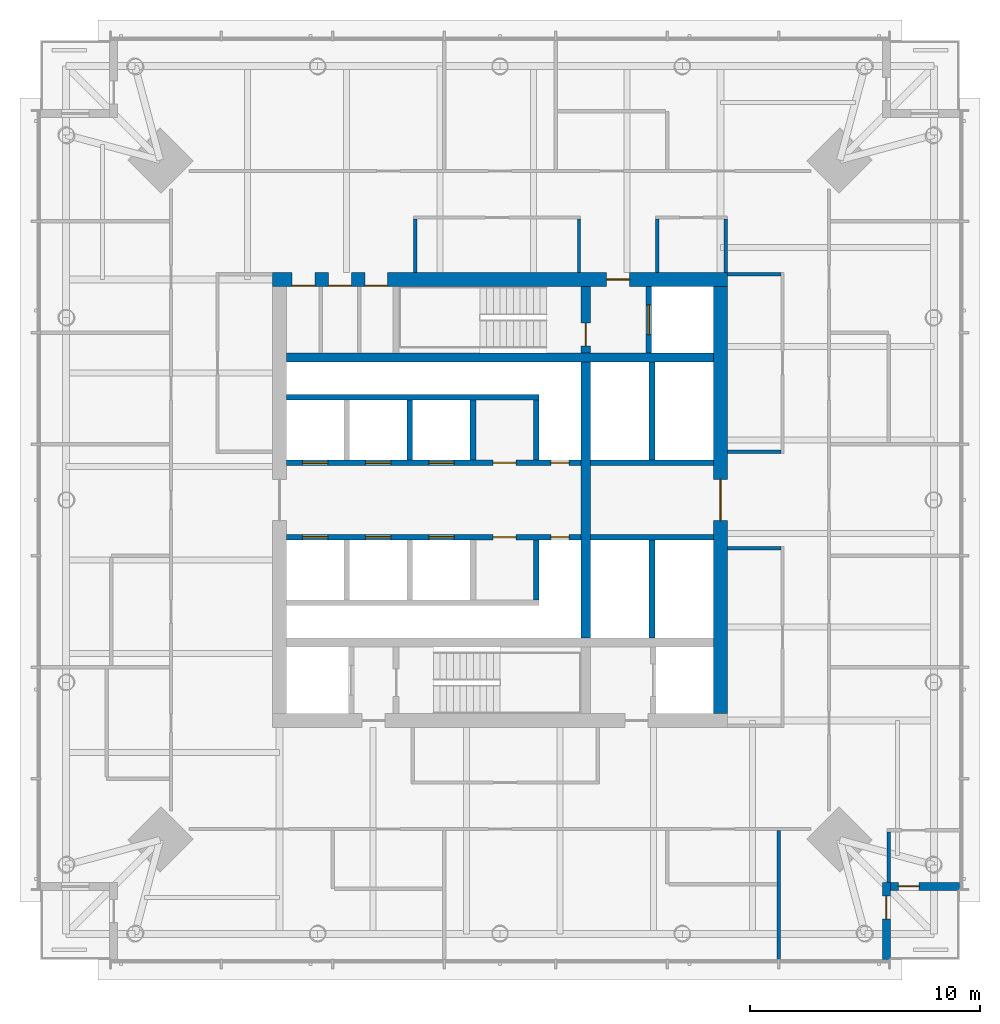
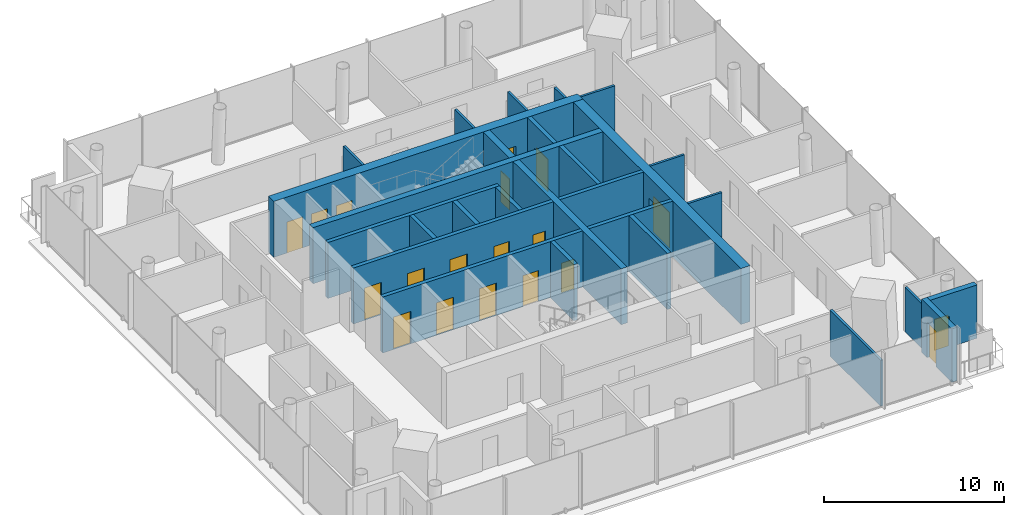
# One storey, part 5 of 10: 28 walls, 19 doors, 19 openings.
"""IFC4 building model written with IfcOpenShell, lengths in metres."""

import ifcopenshell
import ifcopenshell.guid

model = None  # the IFC model being written
_history = None  # IfcOwnerHistory: only IFC2X3 demands one
_inside = {}  # id of a spatial element -> (the spatial element, [elements in it])
_under = {}  # id of a project, library or spatial element -> (it, [spatial elements below it])
_declared = {}  # id of a project -> (the project, [libraries it declares])
_typed = {}  # id of a type object -> (the type object, [elements of that type])
_made_of = {}  # id of a material, layer set ... -> (it, [elements and type objects made of it])


def new_model(schema):
    """Start an empty IFC model of exactly this schema.

    Asked for "IFC4X3", IfcOpenShell would pick the latest addendum, in which some entities
    have other attributes; the version numbers below select the first issue.
    IFC2X3 requires an IfcOwnerHistory on every rooted entity: one is made here for all.
    """
    global model, _history
    if schema == "IFC4X3":
        model = ifcopenshell.file(schema_version=(4, 3, 0, 0))
    else:
        model = ifcopenshell.file(schema=schema)
    _inside.clear()
    _under.clear()
    _declared.clear()
    _typed.clear()
    _made_of.clear()
    _history = None
    if model.schema == "IFC2X3":
        org = make("IfcOrganization", Name="unknown")
        user = make(
            "IfcPersonAndOrganization",
            ThePerson=make("IfcPerson", FamilyName="unknown"),
            TheOrganization=org,
        )
        app = make(
            "IfcApplication",
            ApplicationDeveloper=org,
            Version="unknown",
            ApplicationFullName="unknown",
            ApplicationIdentifier="unknown",
        )
        _history = make(
            "IfcOwnerHistory",
            OwningUser=user,
            OwningApplication=app,
            ChangeAction="ADDED",
            CreationDate=0,
        )
    return model


def make(cls, **values):
    """One entity of the class cls with the attributes given. An attribute that is None is left unset."""
    return model.create_entity(
        cls, **{name: value for name, value in values.items() if value is not None}
    )


def rooted(cls, **values):
    """An entity with a GlobalId (a new one), such as an element, a storey or a relation."""
    return make(cls, GlobalId=ifcopenshell.guid.new(), OwnerHistory=_history, **values)


def si_unit(unit_type, name, prefix=None):
    """IfcSIUnit, for example si_unit("LENGTHUNIT", "METRE", prefix="MILLI")."""
    return make("IfcSIUnit", UnitType=unit_type, Prefix=prefix, Name=name)


def assignment(units):
    """IfcUnitAssignment: the units of a project."""
    return None if units is None else make("IfcUnitAssignment", Units=units)


def point(xyz):
    """IfcCartesianPoint."""
    return None if xyz is None else make("IfcCartesianPoint", Coordinates=xyz)


def direction(xyz):
    """IfcDirection."""
    return None if xyz is None else make("IfcDirection", DirectionRatios=xyz)


def frame(location, z_axis=None, x_axis=None):
    """IfcAxis2Placement3D, a coordinate frame: its origin and axes. An axis left out is left unset."""
    return make(
        "IfcAxis2Placement3D",
        Location=point(location),
        Axis=direction(z_axis),
        RefDirection=direction(x_axis),
    )


def frame_2d(location, x_axis=None):
    """IfcAxis2Placement2D, a coordinate frame in the plane: its origin and x axis."""
    return make(
        "IfcAxis2Placement2D", Location=point(location), RefDirection=direction(x_axis)
    )


def origin():
    """The frame at (0, 0, 0) with its axes left unset."""
    return frame((0.0, 0.0, 0.0))


def place(relative_to, where):
    """IfcLocalPlacement: puts the frame where relative to a parent placement (None: the world)."""
    return make(
        "IfcLocalPlacement", PlacementRelTo=relative_to, RelativePlacement=where
    )


def context(
    kind, dimensions, precision=None, world=None, true_north=None, identifier=None
):
    """IfcGeometricRepresentationContext, for example the 3D "Model" context."""
    return make(
        "IfcGeometricRepresentationContext",
        ContextIdentifier=identifier,
        ContextType=kind,
        CoordinateSpaceDimension=dimensions,
        Precision=precision,
        WorldCoordinateSystem=world,
        TrueNorth=true_north,
    )


def subcontext(parent, identifier, kind, view, scale=None):
    """IfcGeometricRepresentationSubContext, for example "Body" below "Model"."""
    return make(
        "IfcGeometricRepresentationSubContext",
        ContextIdentifier=identifier,
        ContextType=kind,
        ParentContext=parent,
        TargetScale=scale,
        TargetView=view,
    )


def project(units=None, contexts=None):
    """IfcProject with its units and contexts."""
    return rooted(
        "IfcProject",
        Name="project",
        RepresentationContexts=contexts,
        UnitsInContext=assignment(units),
    )


def spatial(cls, under=None, at=None, **own):
    """A site, building, storey or space (cls), placed at a placement, below another one or the project."""
    s = rooted(cls, ObjectPlacement=at, **own)
    if under is not None:
        _under.setdefault(under.id(), (under, []))[1].append(s)
    return s


def profile(cls, at=None, kind="AREA", **sizes):
    """A parametric profile (cls). Its sizes go by their IFC names, for example OverallWidth=200.0."""
    return make(cls, ProfileType=kind, Position=at, **sizes)


def rectangle(**sizes):
    """IfcRectangleProfileDef."""
    return profile("IfcRectangleProfileDef", **sizes)


def extrude(swept, where, along, depth):
    """IfcExtrudedAreaSolid: the profile swept, set in the frame where, extruded along a direction by depth."""
    return make(
        "IfcExtrudedAreaSolid",
        SweptArea=swept,
        Position=where,
        ExtrudedDirection=direction(along),
        Depth=depth,
    )


def shape(context_of_items, identifier, shape_type, items):
    """IfcShapeRepresentation: the items that make up one representation, for example the "Body"."""
    return make(
        "IfcShapeRepresentation",
        ContextOfItems=context_of_items,
        RepresentationIdentifier=identifier,
        RepresentationType=shape_type,
        Items=items,
    )


def material(Name=None, Category=None):
    """IfcMaterial."""
    return make("IfcMaterial", Name=Name, Category=Category)


def layer(
    of_material, thickness, ventilated=None, Name=None, Category=None, Priority=None
):
    """IfcMaterialLayer: one layer of a wall or slab, of a material (None: an air gap)."""
    return make(
        "IfcMaterialLayer",
        Material=of_material,
        LayerThickness=thickness,
        IsVentilated=ventilated,
        Name=Name,
        Category=Category,
        Priority=Priority,
    )


def layer_set(layers, Name=None):
    """IfcMaterialLayerSet."""
    return make("IfcMaterialLayerSet", MaterialLayers=layers, LayerSetName=Name)


def made_of(thing, what):
    """Note that an element or type object is made of a material, layer set ...; save() writes the relation."""
    if what is not None:
        _made_of.setdefault(what.id(), (what, []))[1].append(thing)
    return thing


def type_object(cls, material=None, **own):
    """A type object (cls), such as IfcWallType, which elements share."""
    return made_of(rooted(cls, **own), material)


def element(
    cls,
    number,
    at=None,
    inside=None,
    cuts=None,
    type_object=None,
    material=None,
    context=None,
    identifier="Body",
    shape_type=None,
    held_by="IfcProductDefinitionShape",
    body=None,
    shapes=None,
    **own,
):
    """One element of the class cls, such as IfcWall. Its Tag is "e" and its number.

    at: its placement. inside: the storey or other place that contains it. cuts: it is an
    opening in that element (IfcRelVoidsElement). A single representation is given by context,
    identifier, shape_type and body (its items); several are given by shapes. held_by: the class
    of the entity that holds the representations. save() writes the other relations.
    """
    e = rooted(cls, Tag="e%d" % number, ObjectPlacement=at, **own)
    if body is not None:
        shapes = [shape(context, identifier, shape_type, body)]
    if shapes is not None:
        e.Representation = make(held_by, Representations=shapes)
    if inside is not None:
        _inside.setdefault(inside.id(), (inside, []))[1].append(e)
    if cuts is not None:
        rooted(
            "IfcRelVoidsElement", RelatingBuildingElement=cuts, RelatedOpeningElement=e
        )
    if type_object is not None:
        _typed.setdefault(type_object.id(), (type_object, []))[1].append(e)
    return made_of(e, material)


def fill(opening, filler):
    """IfcRelFillsElement: the door or window that sits in an opening."""
    return rooted(
        "IfcRelFillsElement",
        RelatingOpeningElement=opening,
        RelatedBuildingElement=filler,
    )


def aggregate(whole, parts):
    """IfcRelAggregates: a whole, such as a stair, and the parts it consists of."""
    return rooted("IfcRelAggregates", RelatingObject=whole, RelatedObjects=parts)


def save(model, path):
    """Write the relations noted so far, then the file.

    IfcRelAggregates (storeys below a building ...), IfcRelContainedInSpatialStructure (elements
    in a storey), IfcRelDefinesByType, IfcRelAssociatesMaterial and IfcRelDeclares: one each for
    every whole, place, type object, material and project.
    """
    for whole, parts in _under.values():
        aggregate(whole, parts)
    for where, things in _inside.values():
        rooted(
            "IfcRelContainedInSpatialStructure",
            RelatedElements=things,
            RelatingStructure=where,
        )
    for kind, things in _typed.values():
        rooted("IfcRelDefinesByType", RelatedObjects=things, RelatingType=kind)
    for what, things in _made_of.values():
        rooted("IfcRelAssociatesMaterial", RelatedObjects=things, RelatingMaterial=what)
    for by, libraries in _declared.values():
        rooted("IfcRelDeclares", RelatingContext=by, RelatedDefinitions=libraries)
    model.write(path)


model = new_model("IFC4")

# Units and contexts
model_context = context("Model", 3, precision=1e-05, world=origin(), true_north=direction((0.0, 1.0)))
body_context = subcontext(model_context, "Body", "Model", "MODEL_VIEW")
ifc_project = project(units=[si_unit("LENGTHUNIT", "METRE"), si_unit("AREAUNIT", "SQUARE_METRE"), si_unit("VOLUMEUNIT", "CUBIC_METRE"), si_unit("PLANEANGLEUNIT", "RADIAN"), si_unit("MASSUNIT", "GRAM", prefix="KILO")], contexts=[model_context])

# Site, building, storey
site_placement = place(None, origin())
site = spatial("IfcSite", under=ifc_project, at=site_placement, CompositionType="ELEMENT")
building_placement = place(site_placement, origin())
building = spatial("IfcBuilding", under=site, at=building_placement, Name="Ostroluk Exchange", CompositionType="ELEMENT")
storey_placement = place(building_placement, frame((0.0, 0.0, 180.60009765625)))
storey = spatial("IfcBuildingStorey", under=building, at=storey_placement, Name="L46", CompositionType="ELEMENT", Elevation=180.60009765625)

# Walls
ifc_material_1 = material(Name="Concrete C50/60", Category="concrete")
ifc_layer_1 = layer(ifc_material_1, 0.39990234375)
ifc_layer_set_1 = layer_set([ifc_layer_1], Name="Core cross wall 400 C50/60")
wall_type_1 = type_object("IfcWallType", Name="Core cross wall 400 C50/60", PredefinedType="SHEAR", material=ifc_layer_set_1)
wall_1_placement = place(storey_placement, frame((35.699951171875, 52.199951171875, 0.0), z_axis=(0.0, 0.0, 1.0), x_axis=(1.0, 0.0, 0.0)))
element("IfcWall", 1, at=wall_1_placement, inside=storey, type_object=wall_type_1, Name="T1 core wall XN", PredefinedType="SHEAR", context=body_context, shape_type="SweptSolid", body=[
    extrude(rectangle(XDim=18.60009765625, YDim=0.39990234375, at=frame_2d((9.300048828125, 0.0))), origin(), (0.0, 0.0, 1.0), 3.7998046875),
])
wall_2_placement = place(storey_placement, frame((48.72998046875, 40.0, 0.0), z_axis=(0.0, 0.0, 1.0), x_axis=(0.0, 1.0, 0.0)))
element("IfcWall", 2, at=wall_2_placement, inside=storey, type_object=wall_type_1, Name="T1 core wall YE2", PredefinedType="SHEAR", context=body_context, shape_type="SweptSolid", body=[
    extrude(rectangle(XDim=12.0, YDim=0.39990234375, at=frame_2d((6.0, 0.0))), origin(), (0.0, 0.0, 1.0), 3.7998046875),
])

# Wall, opening, door
wall_3_placement = place(storey_placement, frame((48.72998046875, 52.39990234375, 0.0), z_axis=(0.0, 0.0, 1.0), x_axis=(0.0, 1.0, 0.0)))
wall_3 = element("IfcWall", 3, at=wall_3_placement, inside=storey, type_object=wall_type_1, Name="T1 core wall YE3", PredefinedType="SHEAR", context=body_context, shape_type="SweptSolid", body=[
    extrude(rectangle(XDim=2.900146484375, YDim=0.39990234375, at=frame_2d((1.4501953125, 0.0))), origin(), (0.0, 0.0, 1.0), 3.7998046875),
])
opening_1_placement = place(wall_3_placement, frame((0.300048828125, 0.0, 0.0)))
opening_1 = element("IfcOpeningElement", 4, at=opening_1_placement, cuts=wall_3, Name="Opening FD60", PredefinedType="OPENING", context=body_context, shape_type="SweptSolid", body=[
    extrude(rectangle(XDim=1.0, YDim=2.10009765625, at=frame_2d((0.5, 1.050048828125))), frame((0.0, 0.2099609375, 0.0), z_axis=(0.0, -1.0, 0.0), x_axis=(1.0, 0.0, 0.0)), (0.0, 0.0, 1.0), 0.419921875),
])
ifc_material_2 = material(Name="Steel", Category="steel")
door_type_1 = type_object("IfcDoorType", Name="Fire door EI 60 1000 x 2100", OperationType="SINGLE_SWING_LEFT", PredefinedType="DOOR", material=ifc_material_2)
door_1_placement = place(opening_1_placement, origin())
door_1 = element("IfcDoor", 5, at=door_1_placement, inside=storey, type_object=door_type_1, Name="Stair T1-S2 door", OperationType="SINGLE_SWING_LEFT", OverallHeight=2.10009765625, OverallWidth=1.0, PredefinedType="DOOR", context=body_context, shape_type="SweptSolid", body=[
    extrude(rectangle(XDim=1.0, YDim=2.10009765625, at=frame_2d((0.5, 1.050048828125))), frame((0.0, 0.02490234375, 0.0), z_axis=(0.0, -1.0, 0.0), x_axis=(1.0, 0.0, 0.0)), (0.0, 0.0, 1.0), 0.050048828125),
])
fill(opening_1, door_1)

ifc_material_3 = material(Name="Concrete C40/50", Category="concrete")
ifc_layer_2 = layer(ifc_material_3, 0.25)
ifc_layer_set_2 = layer_set([ifc_layer_2], Name="Core shaft wall 250")
wall_type_2 = type_object("IfcWallType", Name="Core shaft wall 250", PredefinedType="SHEAR", material=ifc_layer_set_2)
wall_4_placement = place(storey_placement, frame((51.47509765625, 52.39990234375, 0.0), z_axis=(0.0, 0.0, 1.0), x_axis=(0.0, 1.0, 0.0)))
wall_4 = element("IfcWall", 6, at=wall_4_placement, inside=storey, type_object=wall_type_2, Name="Firefighting lift shaft wall", PredefinedType="SHEAR", context=body_context, shape_type="SweptSolid", body=[
    extrude(rectangle(XDim=2.900146484375, YDim=0.25, at=frame_2d((1.4501953125, 0.0))), origin(), (0.0, 0.0, 1.0), 3.7998046875),
])
opening_2_placement = place(wall_4_placement, frame((0.800048828125, 0.0, 0.0)))
opening_2 = element("IfcOpeningElement", 7, at=opening_2_placement, cuts=wall_4, Name="Opening LD2", PredefinedType="OPENING", context=body_context, shape_type="SweptSolid", body=[
    extrude(rectangle(XDim=1.300048828125, YDim=2.199951171875, at=frame_2d((0.64990234375, 1.10009765625))), frame((0.0, 0.135009765625, 0.0), z_axis=(0.0, -1.0, 0.0), x_axis=(1.0, 0.0, 0.0)), (0.0, 0.0, 1.0), 0.27001953125),
])
ifc_material_4 = material(Name="Stainless steel", Category="steel")
door_type_2 = type_object("IfcDoorType", Name="Lift landing door E 60 1300 x 2200", OperationType="DOUBLE_DOOR_SLIDING", PredefinedType="DOOR", material=ifc_material_4)
door_2_placement = place(opening_2_placement, origin())
door_2 = element("IfcDoor", 8, at=door_2_placement, inside=storey, type_object=door_type_2, Name="Lift FL2 landing door", OperationType="DOUBLE_DOOR_SLIDING", OverallHeight=2.199951171875, OverallWidth=1.300048828125, PredefinedType="DOOR", context=body_context, shape_type="SweptSolid", body=[
    extrude(rectangle(XDim=1.300048828125, YDim=2.199951171875, at=frame_2d((0.64990234375, 1.10009765625))), frame((0.0, 0.02490234375, 0.0), z_axis=(0.0, -1.0, 0.0), x_axis=(1.0, 0.0, 0.0)), (0.0, 0.0, 1.0), 0.050048828125),
])
fill(opening_2, door_2)

# Walls
for number, where, z_axis, x_axis, name in (
    (9, (41.074951171875, 47.75, 0.0), (0.0, 0.0, 1.0), (0.0, 1.0, 0.0), "Lift shaft wall"),
    (10, (43.824951171875, 47.75, 0.0), (0.0, 0.0, 1.0), (0.0, 1.0, 0.0), "Lift shaft wall"),
    (11, (46.574951171875, 47.75, 0.0), (0.0, 0.0, 1.0), (0.0, 1.0, 0.0), "Lift shaft wall"),
):
    element("IfcWall", number, at=place(storey_placement, frame(where, z_axis=z_axis, x_axis=x_axis)), inside=storey, type_object=wall_type_2, Name=name, PredefinedType="SHEAR", context=body_context, shape_type="SweptSolid", body=[
        extrude(rectangle(XDim=2.60009765625, YDim=0.25, at=frame_2d((1.300048828125, 0.0))), origin(), (0.0, 0.0, 1.0), 3.7998046875),
    ])
wall_5_placement = place(storey_placement, frame((35.699951171875, 50.47509765625, 0.0), z_axis=(0.0, 0.0, 1.0), x_axis=(1.0, 0.0, 0.0)))
element("IfcWall", 12, at=wall_5_placement, inside=storey, type_object=wall_type_2, Name="Lift shaft wall", PredefinedType="SHEAR", context=body_context, shape_type="SweptSolid", body=[
    extrude(rectangle(XDim=11.0, YDim=0.25, at=frame_2d((5.5, 0.0))), origin(), (0.0, 0.0, 1.0), 3.7998046875),
])

# Wall, openings, doors
wall_6_placement = place(storey_placement, frame((35.699951171875, 47.625, 0.0), z_axis=(0.0, 0.0, 1.0), x_axis=(1.0, 0.0, 0.0)))
wall_6 = element("IfcWall", 13, at=wall_6_placement, inside=storey, type_object=wall_type_2, Name="Lift shaft front wall", PredefinedType="SHEAR", context=body_context, shape_type="SweptSolid", body=[
    extrude(rectangle(XDim=12.830078125, YDim=0.25, at=frame_2d((6.4150390625, 0.0))), origin(), (0.0, 0.0, 1.0), 3.7998046875),
])
opening_3_placement = place(wall_6_placement, frame((0.699951171875, 0.0, 0.0)))
opening_3 = element("IfcOpeningElement", 14, at=opening_3_placement, cuts=wall_6, Name="Opening LD", PredefinedType="OPENING", context=body_context, shape_type="SweptSolid", body=[
    extrude(rectangle(XDim=1.10009765625, YDim=2.199951171875, at=frame_2d((0.550048828125, 1.10009765625))), frame((0.0, 0.135009765625, 0.0), z_axis=(0.0, -1.0, 0.0), x_axis=(1.0, 0.0, 0.0)), (0.0, 0.0, 1.0), 0.27001953125),
])
opening_4_placement = place(wall_6_placement, frame((3.449951171875, 0.0, 0.0)))
opening_4 = element("IfcOpeningElement", 15, at=opening_4_placement, cuts=wall_6, Name="Opening LD", PredefinedType="OPENING", context=body_context, shape_type="SweptSolid", body=[
    extrude(rectangle(XDim=1.10009765625, YDim=2.199951171875, at=frame_2d((0.550048828125, 1.10009765625))), frame((0.0, 0.135009765625, 0.0), z_axis=(0.0, -1.0, 0.0), x_axis=(1.0, 0.0, 0.0)), (0.0, 0.0, 1.0), 0.27001953125),
])
opening_5_placement = place(wall_6_placement, frame((6.199951171875, 0.0, 0.0)))
opening_5 = element("IfcOpeningElement", 16, at=opening_5_placement, cuts=wall_6, Name="Opening LD", PredefinedType="OPENING", context=body_context, shape_type="SweptSolid", body=[
    extrude(rectangle(XDim=1.10009765625, YDim=2.199951171875, at=frame_2d((0.550048828125, 1.10009765625))), frame((0.0, 0.135009765625, 0.0), z_axis=(0.0, -1.0, 0.0), x_axis=(1.0, 0.0, 0.0)), (0.0, 0.0, 1.0), 0.27001953125),
])
opening_6_placement = place(wall_6_placement, frame((9.0, 0.0, 0.0)))
opening_6 = element("IfcOpeningElement", 17, at=opening_6_placement, cuts=wall_6, Name="Opening FD60", PredefinedType="OPENING", context=body_context, shape_type="SweptSolid", body=[
    extrude(rectangle(XDim=1.0, YDim=2.10009765625, at=frame_2d((0.5, 1.050048828125))), frame((0.0, 0.135009765625, 0.0), z_axis=(0.0, -1.0, 0.0), x_axis=(1.0, 0.0, 0.0)), (0.0, 0.0, 1.0), 0.27001953125),
])
opening_7_placement = place(wall_6_placement, frame((11.514892578125, 0.0, 0.0)))
opening_7 = element("IfcOpeningElement", 18, at=opening_7_placement, cuts=wall_6, Name="Opening RD60", PredefinedType="OPENING", context=body_context, shape_type="SweptSolid", body=[
    extrude(rectangle(XDim=0.800048828125, YDim=2.0, at=frame_2d((0.39990234375, 1.0))), frame((0.0, 0.135009765625, 0.0), z_axis=(0.0, -1.0, 0.0), x_axis=(1.0, 0.0, 0.0)), (0.0, 0.0, 1.0), 0.27001953125),
])
door_3_placement = place(opening_6_placement, origin())
door_3 = element("IfcDoor", 19, at=door_3_placement, inside=storey, type_object=door_type_1, Name="Core room door", OperationType="SINGLE_SWING_RIGHT", OverallHeight=2.10009765625, OverallWidth=1.0, PredefinedType="DOOR", context=body_context, shape_type="SweptSolid", body=[
    extrude(rectangle(XDim=1.0, YDim=2.10009765625, at=frame_2d((0.5, 1.050048828125))), frame((0.0, 0.02490234375, 0.0), z_axis=(0.0, -1.0, 0.0), x_axis=(1.0, 0.0, 0.0)), (0.0, 0.0, 1.0), 0.050048828125),
])
fill(opening_6, door_3)
ifc_material_5 = material(Name="Stainless steel", Category="steel")
door_type_3 = type_object("IfcDoorType", Name="Lift landing door E 60 1100 x 2200", OperationType="DOUBLE_DOOR_SLIDING", PredefinedType="DOOR", material=ifc_material_5)
door_4_placement = place(opening_3_placement, origin())
door_4 = element("IfcDoor", 20, at=door_4_placement, inside=storey, type_object=door_type_3, Name="Lift PL-H1 landing door", OperationType="DOUBLE_DOOR_SLIDING", OverallHeight=2.199951171875, OverallWidth=1.10009765625, PredefinedType="DOOR", context=body_context, shape_type="SweptSolid", body=[
    extrude(rectangle(XDim=1.10009765625, YDim=2.199951171875, at=frame_2d((0.550048828125, 1.10009765625))), frame((0.0, 0.02490234375, 0.0), z_axis=(0.0, -1.0, 0.0), x_axis=(1.0, 0.0, 0.0)), (0.0, 0.0, 1.0), 0.050048828125),
])
fill(opening_3, door_4)
door_5_placement = place(opening_4_placement, origin())
door_5 = element("IfcDoor", 21, at=door_5_placement, inside=storey, type_object=door_type_3, Name="Lift PL-H2 landing door", OperationType="DOUBLE_DOOR_SLIDING", OverallHeight=2.199951171875, OverallWidth=1.10009765625, PredefinedType="DOOR", context=body_context, shape_type="SweptSolid", body=[
    extrude(rectangle(XDim=1.10009765625, YDim=2.199951171875, at=frame_2d((0.550048828125, 1.10009765625))), frame((0.0, 0.02490234375, 0.0), z_axis=(0.0, -1.0, 0.0), x_axis=(1.0, 0.0, 0.0)), (0.0, 0.0, 1.0), 0.050048828125),
])
fill(opening_4, door_5)
door_6_placement = place(opening_5_placement, origin())
door_6 = element("IfcDoor", 22, at=door_6_placement, inside=storey, type_object=door_type_3, Name="Lift PL-H3 landing door", OperationType="DOUBLE_DOOR_SLIDING", OverallHeight=2.199951171875, OverallWidth=1.10009765625, PredefinedType="DOOR", context=body_context, shape_type="SweptSolid", body=[
    extrude(rectangle(XDim=1.10009765625, YDim=2.199951171875, at=frame_2d((0.550048828125, 1.10009765625))), frame((0.0, 0.02490234375, 0.0), z_axis=(0.0, -1.0, 0.0), x_axis=(1.0, 0.0, 0.0)), (0.0, 0.0, 1.0), 0.050048828125),
])
fill(opening_5, door_6)
ifc_material_6 = material(Name="Steel", Category="steel")
door_type_4 = type_object("IfcDoorType", Name="Riser access door EI 60 800 x 2000", OperationType="SINGLE_SWING_LEFT", PredefinedType="DOOR", material=ifc_material_6)
door_7_placement = place(opening_7_placement, origin())
door_7 = element("IfcDoor", 23, at=door_7_placement, inside=storey, type_object=door_type_4, Name="Riser access door", OperationType="SINGLE_SWING_RIGHT", OverallHeight=2.0, OverallWidth=0.800048828125, PredefinedType="DOOR", context=body_context, shape_type="SweptSolid", body=[
    extrude(rectangle(XDim=0.800048828125, YDim=2.0, at=frame_2d((0.39990234375, 1.0))), frame((0.0, 0.02490234375, 0.0), z_axis=(0.0, -1.0, 0.0), x_axis=(1.0, 0.0, 0.0)), (0.0, 0.0, 1.0), 0.050048828125),
])
fill(opening_7, door_7)

# Wall
wall_7_placement = place(storey_placement, frame((46.574951171875, 44.25, 0.0), z_axis=(0.0, 0.0, 1.0), x_axis=(0.0, -1.0, 0.0)))
element("IfcWall", 24, at=wall_7_placement, inside=storey, type_object=wall_type_2, Name="Lift shaft wall", PredefinedType="SHEAR", context=body_context, shape_type="SweptSolid", body=[
    extrude(rectangle(XDim=2.60009765625, YDim=0.25, at=frame_2d((1.300048828125, 0.0))), origin(), (0.0, 0.0, 1.0), 3.7998046875),
])

# Wall, openings, doors
wall_8_placement = place(storey_placement, frame((35.699951171875, 44.375, 0.0), z_axis=(0.0, 0.0, 1.0), x_axis=(1.0, 0.0, 0.0)))
wall_8 = element("IfcWall", 25, at=wall_8_placement, inside=storey, type_object=wall_type_2, Name="Lift shaft front wall", PredefinedType="SHEAR", context=body_context, shape_type="SweptSolid", body=[
    extrude(rectangle(XDim=12.830078125, YDim=0.25, at=frame_2d((6.4150390625, 0.0))), origin(), (0.0, 0.0, 1.0), 3.7998046875),
])
opening_8_placement = place(wall_8_placement, frame((0.699951171875, 0.0, 0.0)))
opening_8 = element("IfcOpeningElement", 26, at=opening_8_placement, cuts=wall_8, Name="Opening LD", PredefinedType="OPENING", context=body_context, shape_type="SweptSolid", body=[
    extrude(rectangle(XDim=1.10009765625, YDim=2.199951171875, at=frame_2d((0.550048828125, 1.10009765625))), frame((0.0, 0.135009765625, 0.0), z_axis=(0.0, -1.0, 0.0), x_axis=(1.0, 0.0, 0.0)), (0.0, 0.0, 1.0), 0.27001953125),
])
opening_9_placement = place(wall_8_placement, frame((3.449951171875, 0.0, 0.0)))
opening_9 = element("IfcOpeningElement", 27, at=opening_9_placement, cuts=wall_8, Name="Opening LD", PredefinedType="OPENING", context=body_context, shape_type="SweptSolid", body=[
    extrude(rectangle(XDim=1.10009765625, YDim=2.199951171875, at=frame_2d((0.550048828125, 1.10009765625))), frame((0.0, 0.135009765625, 0.0), z_axis=(0.0, -1.0, 0.0), x_axis=(1.0, 0.0, 0.0)), (0.0, 0.0, 1.0), 0.27001953125),
])
opening_10_placement = place(wall_8_placement, frame((6.199951171875, 0.0, 0.0)))
opening_10 = element("IfcOpeningElement", 28, at=opening_10_placement, cuts=wall_8, Name="Opening LD", PredefinedType="OPENING", context=body_context, shape_type="SweptSolid", body=[
    extrude(rectangle(XDim=1.10009765625, YDim=2.199951171875, at=frame_2d((0.550048828125, 1.10009765625))), frame((0.0, 0.135009765625, 0.0), z_axis=(0.0, -1.0, 0.0), x_axis=(1.0, 0.0, 0.0)), (0.0, 0.0, 1.0), 0.27001953125),
])
opening_11_placement = place(wall_8_placement, frame((9.0, 0.0, 0.0)))
opening_11 = element("IfcOpeningElement", 29, at=opening_11_placement, cuts=wall_8, Name="Opening FD60", PredefinedType="OPENING", context=body_context, shape_type="SweptSolid", body=[
    extrude(rectangle(XDim=1.0, YDim=2.10009765625, at=frame_2d((0.5, 1.050048828125))), frame((0.0, 0.135009765625, 0.0), z_axis=(0.0, -1.0, 0.0), x_axis=(1.0, 0.0, 0.0)), (0.0, 0.0, 1.0), 0.27001953125),
])
opening_12_placement = place(wall_8_placement, frame((11.514892578125, 0.0, 0.0)))
opening_12 = element("IfcOpeningElement", 30, at=opening_12_placement, cuts=wall_8, Name="Opening RD60", PredefinedType="OPENING", context=body_context, shape_type="SweptSolid", body=[
    extrude(rectangle(XDim=0.800048828125, YDim=2.0, at=frame_2d((0.39990234375, 1.0))), frame((0.0, 0.135009765625, 0.0), z_axis=(0.0, -1.0, 0.0), x_axis=(1.0, 0.0, 0.0)), (0.0, 0.0, 1.0), 0.27001953125),
])
door_8_placement = place(opening_11_placement, origin())
door_8 = element("IfcDoor", 31, at=door_8_placement, inside=storey, type_object=door_type_1, Name="Core room door", OperationType="SINGLE_SWING_RIGHT", OverallHeight=2.10009765625, OverallWidth=1.0, PredefinedType="DOOR", context=body_context, shape_type="SweptSolid", body=[
    extrude(rectangle(XDim=1.0, YDim=2.10009765625, at=frame_2d((0.5, 1.050048828125))), frame((0.0, 0.02490234375, 0.0), z_axis=(0.0, -1.0, 0.0), x_axis=(1.0, 0.0, 0.0)), (0.0, 0.0, 1.0), 0.050048828125),
])
fill(opening_11, door_8)
door_9_placement = place(opening_8_placement, origin())
door_9 = element("IfcDoor", 32, at=door_9_placement, inside=storey, type_object=door_type_3, Name="Lift PL-H4 landing door", OperationType="DOUBLE_DOOR_SLIDING", OverallHeight=2.199951171875, OverallWidth=1.10009765625, PredefinedType="DOOR", context=body_context, shape_type="SweptSolid", body=[
    extrude(rectangle(XDim=1.10009765625, YDim=2.199951171875, at=frame_2d((0.550048828125, 1.10009765625))), frame((0.0, 0.02490234375, 0.0), z_axis=(0.0, -1.0, 0.0), x_axis=(1.0, 0.0, 0.0)), (0.0, 0.0, 1.0), 0.050048828125),
])
fill(opening_8, door_9)
door_10_placement = place(opening_9_placement, origin())
door_10 = element("IfcDoor", 33, at=door_10_placement, inside=storey, type_object=door_type_3, Name="Lift PL-H5 landing door", OperationType="DOUBLE_DOOR_SLIDING", OverallHeight=2.199951171875, OverallWidth=1.10009765625, PredefinedType="DOOR", context=body_context, shape_type="SweptSolid", body=[
    extrude(rectangle(XDim=1.10009765625, YDim=2.199951171875, at=frame_2d((0.550048828125, 1.10009765625))), frame((0.0, 0.02490234375, 0.0), z_axis=(0.0, -1.0, 0.0), x_axis=(1.0, 0.0, 0.0)), (0.0, 0.0, 1.0), 0.050048828125),
])
fill(opening_9, door_10)
door_11_placement = place(opening_10_placement, origin())
door_11 = element("IfcDoor", 34, at=door_11_placement, inside=storey, type_object=door_type_3, Name="Lift PL-H6 landing door", OperationType="DOUBLE_DOOR_SLIDING", OverallHeight=2.199951171875, OverallWidth=1.10009765625, PredefinedType="DOOR", context=body_context, shape_type="SweptSolid", body=[
    extrude(rectangle(XDim=1.10009765625, YDim=2.199951171875, at=frame_2d((0.550048828125, 1.10009765625))), frame((0.0, 0.02490234375, 0.0), z_axis=(0.0, -1.0, 0.0), x_axis=(1.0, 0.0, 0.0)), (0.0, 0.0, 1.0), 0.050048828125),
])
fill(opening_10, door_11)
door_12_placement = place(opening_12_placement, origin())
door_12 = element("IfcDoor", 35, at=door_12_placement, inside=storey, type_object=door_type_4, Name="Riser access door", OperationType="SINGLE_SWING_RIGHT", OverallHeight=2.0, OverallWidth=0.800048828125, PredefinedType="DOOR", context=body_context, shape_type="SweptSolid", body=[
    extrude(rectangle(XDim=0.800048828125, YDim=2.0, at=frame_2d((0.39990234375, 1.0))), frame((0.0, 0.02490234375, 0.0), z_axis=(0.0, -1.0, 0.0), x_axis=(1.0, 0.0, 0.0)), (0.0, 0.0, 1.0), 0.050048828125),
])
fill(opening_12, door_12)

# Walls
wall_9_placement = place(storey_placement, frame((51.614990234375, 47.75, 0.0), z_axis=(0.0, 0.0, 1.0), x_axis=(0.0, 1.0, 0.0)))
element("IfcWall", 36, at=wall_9_placement, inside=storey, type_object=wall_type_2, Name="Lift shaft wall", PredefinedType="SHEAR", context=body_context, shape_type="SweptSolid", body=[
    extrude(rectangle(XDim=4.25, YDim=0.25, at=frame_2d((2.125, 0.0))), origin(), (0.0, 0.0, 1.0), 3.7998046875),
])
wall_10_placement = place(storey_placement, frame((48.929931640625, 47.625, 0.0), z_axis=(0.0, 0.0, 1.0), x_axis=(1.0, 0.0, 0.0)))
element("IfcWall", 37, at=wall_10_placement, inside=storey, type_object=wall_type_2, Name="Lift shaft front wall", PredefinedType="SHEAR", context=body_context, shape_type="SweptSolid", body=[
    extrude(rectangle(XDim=5.3701171875, YDim=0.25, at=frame_2d((2.68505859375, 0.0))), origin(), (0.0, 0.0, 1.0), 3.7998046875),
])
wall_11_placement = place(storey_placement, frame((51.614990234375, 44.25, 0.0), z_axis=(0.0, 0.0, 1.0), x_axis=(0.0, -1.0, 0.0)))
element("IfcWall", 38, at=wall_11_placement, inside=storey, type_object=wall_type_2, Name="Lift shaft wall", PredefinedType="SHEAR", context=body_context, shape_type="SweptSolid", body=[
    extrude(rectangle(XDim=4.25, YDim=0.25, at=frame_2d((2.125, 0.0))), origin(), (0.0, 0.0, 1.0), 3.7998046875),
])
wall_12_placement = place(storey_placement, frame((48.929931640625, 44.375, 0.0), z_axis=(0.0, 0.0, 1.0), x_axis=(1.0, 0.0, 0.0)))
element("IfcWall", 39, at=wall_12_placement, inside=storey, type_object=wall_type_2, Name="Lift shaft front wall", PredefinedType="SHEAR", context=body_context, shape_type="SweptSolid", body=[
    extrude(rectangle(XDim=5.3701171875, YDim=0.25, at=frame_2d((2.68505859375, 0.0))), origin(), (0.0, 0.0, 1.0), 3.7998046875),
])

# Wall, openings, doors
ifc_material_7 = material(Name="Concrete C50/60", Category="concrete")
ifc_layer_3 = layer(ifc_material_7, 0.60009765625)
ifc_layer_set_3 = layer_set([ifc_layer_3], Name="Core wall 600 C50/60")
wall_type_3 = type_object("IfcWallType", Name="Core wall 600 C50/60", PredefinedType="SHEAR", material=ifc_layer_set_3)
wall_13_placement = place(storey_placement, frame((35.10009765625, 55.60009765625, 0.0), z_axis=(0.0, 0.0, 1.0), x_axis=(1.0, 0.0, 0.0)))
wall_13 = element("IfcWall", 40, at=wall_13_placement, inside=storey, type_object=wall_type_3, Name="T1 core wall N", PredefinedType="SHEAR", context=body_context, shape_type="SweptSolid", body=[
    extrude(rectangle(XDim=19.7998046875, YDim=0.60009765625, at=frame_2d((9.89990234375, 0.0))), origin(), (0.0, 0.0, 1.0), 3.7998046875),
])
opening_13_placement = place(wall_13_placement, frame((14.5400390625, 0.0, 0.0)))
opening_13 = element("IfcOpeningElement", 41, at=opening_13_placement, cuts=wall_13, Name="Opening FD60", PredefinedType="OPENING", context=body_context, shape_type="SweptSolid", body=[
    extrude(rectangle(XDim=1.0, YDim=2.10009765625, at=frame_2d((0.5, 1.050048828125))), frame((0.0, 0.31005859375, 0.0), z_axis=(0.0, -1.0, 0.0), x_axis=(1.0, 0.0, 0.0)), (0.0, 0.0, 1.0), 0.6201171875),
])
opening_14_placement = place(wall_13_placement, frame((0.85009765625, 0.0, 0.0)))
opening_14 = element("IfcOpeningElement", 42, at=opening_14_placement, cuts=wall_13, Name="Opening FD60", PredefinedType="OPENING", context=body_context, shape_type="SweptSolid", body=[
    extrude(rectangle(XDim=1.0, YDim=2.10009765625, at=frame_2d((0.5, 1.050048828125))), frame((0.0, 0.31005859375, 0.0), z_axis=(0.0, -1.0, 0.0), x_axis=(1.0, 0.0, 0.0)), (0.0, 0.0, 1.0), 0.6201171875),
])
opening_15_placement = place(wall_13_placement, frame((2.425048828125, 0.0, 0.0)))
opening_15 = element("IfcOpeningElement", 43, at=opening_15_placement, cuts=wall_13, Name="Opening FD60", PredefinedType="OPENING", context=body_context, shape_type="SweptSolid", body=[
    extrude(rectangle(XDim=1.0, YDim=2.10009765625, at=frame_2d((0.5, 1.050048828125))), frame((0.0, 0.31005859375, 0.0), z_axis=(0.0, -1.0, 0.0), x_axis=(1.0, 0.0, 0.0)), (0.0, 0.0, 1.0), 0.6201171875),
])
opening_16_placement = place(wall_13_placement, frame((4.011962890625, 0.0, 0.0)))
opening_16 = element("IfcOpeningElement", 44, at=opening_16_placement, cuts=wall_13, Name="Opening FD60", PredefinedType="OPENING", context=body_context, shape_type="SweptSolid", body=[
    extrude(rectangle(XDim=1.0, YDim=2.10009765625, at=frame_2d((0.5, 1.050048828125))), frame((0.0, 0.31005859375, 0.0), z_axis=(0.0, -1.0, 0.0), x_axis=(1.0, 0.0, 0.0)), (0.0, 0.0, 1.0), 0.6201171875),
])
door_13_placement = place(opening_13_placement, origin())
door_13 = element("IfcDoor", 45, at=door_13_placement, inside=storey, type_object=door_type_1, Name="Firefighting lobby door", OperationType="SINGLE_SWING_RIGHT", OverallHeight=2.10009765625, OverallWidth=1.0, PredefinedType="DOOR", context=body_context, shape_type="SweptSolid", body=[
    extrude(rectangle(XDim=1.0, YDim=2.10009765625, at=frame_2d((0.5, 1.050048828125))), frame((0.0, 0.02490234375, 0.0), z_axis=(0.0, -1.0, 0.0), x_axis=(1.0, 0.0, 0.0)), (0.0, 0.0, 1.0), 0.050048828125),
])
fill(opening_13, door_13)
door_14_placement = place(opening_14_placement, origin())
door_14 = element("IfcDoor", 46, at=door_14_placement, inside=storey, type_object=door_type_1, Name="Store door", OperationType="SINGLE_SWING_LEFT", OverallHeight=2.10009765625, OverallWidth=1.0, PredefinedType="DOOR", context=body_context, shape_type="SweptSolid", body=[
    extrude(rectangle(XDim=1.0, YDim=2.10009765625, at=frame_2d((0.5, 1.050048828125))), frame((0.0, -0.23974609375, 0.0), z_axis=(0.0, -1.0, 0.0), x_axis=(1.0, 0.0, 0.0)), (0.0, 0.0, 1.0), 0.050048828125),
])
fill(opening_14, door_14)
door_15_placement = place(opening_15_placement, origin())
door_15 = element("IfcDoor", 47, at=door_15_placement, inside=storey, type_object=door_type_1, Name="Comms room door", OperationType="SINGLE_SWING_LEFT", OverallHeight=2.10009765625, OverallWidth=1.0, PredefinedType="DOOR", context=body_context, shape_type="SweptSolid", body=[
    extrude(rectangle(XDim=1.0, YDim=2.10009765625, at=frame_2d((0.5, 1.050048828125))), frame((0.0, -0.23974609375, 0.0), z_axis=(0.0, -1.0, 0.0), x_axis=(1.0, 0.0, 0.0)), (0.0, 0.0, 1.0), 0.050048828125),
])
fill(opening_15, door_15)
door_16_placement = place(opening_16_placement, origin())
door_16 = element("IfcDoor", 48, at=door_16_placement, inside=storey, type_object=door_type_1, Name="Cleaner's store door", OperationType="SINGLE_SWING_LEFT", OverallHeight=2.10009765625, OverallWidth=1.0, PredefinedType="DOOR", context=body_context, shape_type="SweptSolid", body=[
    extrude(rectangle(XDim=1.0, YDim=2.10009765625, at=frame_2d((0.5, 1.050048828125))), frame((0.0, -0.23974609375, 0.0), z_axis=(0.0, -1.0, 0.0), x_axis=(1.0, 0.0, 0.0)), (0.0, 0.0, 1.0), 0.050048828125),
])
fill(opening_16, door_16)

# Wall, opening, door
wall_14_placement = place(storey_placement, frame((54.60009765625, 36.699951171875, 0.0), z_axis=(0.0, 0.0, 1.0), x_axis=(0.0, 1.0, 0.0)))
wall_14 = element("IfcWall", 49, at=wall_14_placement, inside=storey, type_object=wall_type_3, Name="T1 core wall E", PredefinedType="SHEAR", context=body_context, shape_type="SweptSolid", body=[
    extrude(rectangle(XDim=18.60009765625, YDim=0.60009765625, at=frame_2d((9.300048828125, 0.0))), origin(), (0.0, 0.0, 1.0), 3.7998046875),
])
opening_17_placement = place(wall_14_placement, frame((8.39990234375, 0.0, 0.0)))
opening_17 = element("IfcOpeningElement", 50, at=opening_17_placement, cuts=wall_14, Name="Opening FD30D", PredefinedType="OPENING", context=body_context, shape_type="SweptSolid", body=[
    extrude(rectangle(XDim=1.800048828125, YDim=2.39990234375, at=frame_2d((0.89990234375, 1.199951171875))), frame((0.0, 0.31005859375, 0.0), z_axis=(0.0, -1.0, 0.0), x_axis=(1.0, 0.0, 0.0)), (0.0, 0.0, 1.0), 0.6201171875),
])
ifc_material_8 = material(Name="Timber", Category="wood")
door_type_5 = type_object("IfcDoorType", Name="Lobby double door EI 30 1800 x 2400", OperationType="DOUBLE_DOOR_SINGLE_SWING", PredefinedType="DOOR", material=ifc_material_8)
door_17_placement = place(opening_17_placement, origin())
door_17 = element("IfcDoor", 51, at=door_17_placement, inside=storey, type_object=door_type_5, Name="Lift lobby doors", OperationType="DOUBLE_DOOR_SINGLE_SWING", OverallHeight=2.39990234375, OverallWidth=1.800048828125, PredefinedType="DOOR", context=body_context, shape_type="SweptSolid", body=[
    extrude(rectangle(XDim=1.800048828125, YDim=2.39990234375, at=frame_2d((0.89990234375, 1.199951171875))), frame((0.0, 0.02490234375, 0.0), z_axis=(0.0, -1.0, 0.0), x_axis=(1.0, 0.0, 0.0)), (0.0, 0.0, 1.0), 0.050048828125),
])
fill(opening_17, door_17)

ifc_material_9 = material(Name="Limestone", Category="masonry")
ifc_layer_4 = layer(ifc_material_9, 0.35009765625)
ifc_layer_set_4 = layer_set([ifc_layer_4], Name="Limestone facade wall 350")
wall_type_4 = type_object("IfcWallType", Name="Limestone facade wall 350", PredefinedType="SOLIDWALL", material=ifc_layer_set_4)
wall_15_placement = place(storey_placement, frame((61.824951171875, 26.0, 0.0), z_axis=(0.0, 0.0, 1.0), x_axis=(0.0, 1.0, 0.0)))
wall_15 = element("IfcWall", 52, at=wall_15_placement, inside=storey, type_object=wall_type_4, Name="Office tower SE corner wall L46 a", PredefinedType="SOLIDWALL", context=body_context, shape_type="SweptSolid", body=[
    extrude(rectangle(XDim=3.35009765625, YDim=0.35009765625, at=frame_2d((1.675048828125, 0.0))), origin(), (0.0, 0.0, 1.0), 3.619873046875),
])
opening_18_placement = place(wall_15_placement, frame((1.75, 0.0, 0.0)))
opening_18 = element("IfcOpeningElement", 53, at=opening_18_placement, cuts=wall_15, Name="Opening D-B1", PredefinedType="OPENING", context=body_context, shape_type="SweptSolid", body=[
    extrude(rectangle(XDim=1.0, YDim=2.39990234375, at=frame_2d((0.5, 1.199951171875))), frame((0.0, 0.18505859375, 0.0), z_axis=(0.0, -1.0, 0.0), x_axis=(1.0, 0.0, 0.0)), (0.0, 0.0, 1.0), 0.3701171875),
])
ifc_material_10 = material(Name="Bronze framed glazed door", Category="aluminium")
door_type_6 = type_object("IfcDoorType", Name="Balcony door 1000 x 2400", OperationType="SINGLE_SWING_LEFT", PredefinedType="DOOR", material=ifc_material_10)
door_18_placement = place(opening_18_placement, origin())
door_18 = element("IfcDoor", 54, at=door_18_placement, inside=storey, type_object=door_type_6, Name="Office tower SE balcony door L46", OperationType="SINGLE_SWING_RIGHT", OverallHeight=2.39990234375, OverallWidth=1.0, PredefinedType="DOOR", context=body_context, shape_type="SweptSolid", body=[
    extrude(rectangle(XDim=1.0, YDim=2.39990234375, at=frame_2d((0.5, 1.199951171875))), frame((0.0, 0.02490234375, 0.0), z_axis=(0.0, -1.0, 0.0), x_axis=(1.0, 0.0, 0.0)), (0.0, 0.0, 1.0), 0.050048828125),
])
fill(opening_18, door_18)

wall_16_placement = place(storey_placement, frame((62.0, 29.175048828125, 0.0), z_axis=(0.0, 0.0, 1.0), x_axis=(1.0, 0.0, 0.0)))
wall_16 = element("IfcWall", 55, at=wall_16_placement, inside=storey, type_object=wall_type_4, Name="Office tower SE corner wall L46 b", PredefinedType="SOLIDWALL", context=body_context, shape_type="SweptSolid", body=[
    extrude(rectangle(XDim=3.0, YDim=0.35009765625, at=frame_2d((1.5, 0.0))), origin(), (0.0, 0.0, 1.0), 3.619873046875),
])
opening_19_placement = place(wall_16_placement, frame((0.35009765625, 0.0, 0.0)))
opening_19 = element("IfcOpeningElement", 56, at=opening_19_placement, cuts=wall_16, Name="Opening D-M1", PredefinedType="OPENING", context=body_context, shape_type="SweptSolid", body=[
    extrude(rectangle(XDim=0.89990234375, YDim=2.10009765625, at=frame_2d((0.449951171875, 1.050048828125))), frame((0.0, 0.18505859375, 0.0), z_axis=(0.0, -1.0, 0.0), x_axis=(1.0, 0.0, 0.0)), (0.0, 0.0, 1.0), 0.3701171875),
])
ifc_material_11 = material(Name="Steel door", Category="steel")
door_type_7 = type_object("IfcDoorType", Name="Maintenance access door 900 x 2100", OperationType="SINGLE_SWING_LEFT", PredefinedType="DOOR", material=ifc_material_11)
door_19_placement = place(opening_19_placement, origin())
door_19 = element("IfcDoor", 57, at=door_19_placement, inside=storey, type_object=door_type_7, Name="Maintenance access door T1 L46 SE", OperationType="SINGLE_SWING_LEFT", OverallHeight=2.10009765625, OverallWidth=0.89990234375, PredefinedType="DOOR", context=body_context, shape_type="SweptSolid", body=[
    extrude(rectangle(XDim=0.89990234375, YDim=2.10009765625, at=frame_2d((0.449951171875, 1.050048828125))), frame((0.0, 0.02490234375, 0.0), z_axis=(0.0, -1.0, 0.0), x_axis=(1.0, 0.0, 0.0)), (0.0, 0.0, 1.0), 0.050048828125),
])
fill(opening_19, door_19)

# Walls
ifc_material_12 = material(Name="Gypsum plasterboard partition", Category="gypsum")
ifc_layer_5 = layer(ifc_material_12, 0.14990234375)
ifc_layer_set_5 = layer_set([ifc_layer_5], Name="Plasterboard partition 150")
wall_type_5 = type_object("IfcWallType", Name="Plasterboard partition 150", PredefinedType="PARTITIONING", material=ifc_layer_set_5)
for number, where, z_axis, x_axis, name in (
    (58, (54.89990234375, 43.89990234375, 0.0), (0.0, 0.0, 1.0), (1.0, 0.0, 0.0), "Partition"),
    (59, (54.89990234375, 48.10009765625, 0.0), (0.0, 0.0, 1.0), (1.0, 0.0, 0.0), "Partition"),
    (60, (54.89990234375, 55.824951171875, 0.0), (0.0, 0.0, 1.0), (1.0, 0.0, 0.0), "Partition"),
):
    element("IfcWall", number, at=place(storey_placement, frame(where, z_axis=z_axis, x_axis=x_axis)), inside=storey, type_object=wall_type_5, Name=name, PredefinedType="PARTITIONING", context=body_context, shape_type="SweptSolid", body=[
        extrude(rectangle(XDim=2.3251953125, YDim=0.14990234375, at=frame_2d((1.16259765625, 0.0))), origin(), (0.0, 0.0, 1.0), 3.619873046875),
    ])
wall_17_placement = place(storey_placement, frame((54.824951171875, 55.89990234375, 0.0), z_axis=(0.0, 0.0, 1.0), x_axis=(0.0, 1.0, 0.0)))
element("IfcWall", 61, at=wall_17_placement, inside=storey, type_object=wall_type_5, Name="Partition", PredefinedType="PARTITIONING", context=body_context, shape_type="SweptSolid", body=[
    extrude(rectangle(XDim=2.3251953125, YDim=0.14990234375, at=frame_2d((1.16259765625, 0.0))), origin(), (0.0, 0.0, 1.0), 2.866943359375),
])
for number, where, z_axis, x_axis, name in (
    (62, (51.840087890625, 55.89990234375, 0.0), (0.0, 0.0, 1.0), (0.0, 1.0, 0.0), "Partition"),
    (63, (48.43994140625, 55.89990234375, 0.0), (0.0, 0.0, 1.0), (0.0, 1.0, 0.0), "Partition"),
    (64, (41.31201171875, 55.89990234375, 0.0), (0.0, 0.0, 1.0), (0.0, 1.0, 0.0), "Partition"),
):
    element("IfcWall", number, at=place(storey_placement, frame(where, z_axis=z_axis, x_axis=x_axis)), inside=storey, type_object=wall_type_5, Name=name, PredefinedType="PARTITIONING", context=body_context, shape_type="SweptSolid", body=[
        extrude(rectangle(XDim=2.3251953125, YDim=0.14990234375, at=frame_2d((1.16259765625, 0.0))), origin(), (0.0, 0.0, 1.0), 3.619873046875),
    ])
wall_18_placement = place(storey_placement, frame((57.142822265625, 31.60009765625, 0.0), z_axis=(0.0, 0.0, 1.0), x_axis=(0.0, -1.0, 0.0)))
element("IfcWall", 65, at=wall_18_placement, inside=storey, type_object=wall_type_5, Name="Partition", PredefinedType="PARTITIONING", context=body_context, shape_type="SweptSolid", body=[
    extrude(rectangle(XDim=5.64013671875, YDim=0.14990234375, at=frame_2d((2.820068359375, 0.0))), origin(), (0.0, 0.0, 1.0), 3.119873046875),
])
wall_19_placement = place(storey_placement, frame((61.925048828125, 31.550048828125, 0.0), z_axis=(0.0, 0.0, 1.0), x_axis=(0.0, -1.0, 0.0)))
element("IfcWall", 66, at=wall_19_placement, inside=storey, type_object=wall_type_5, Name="Partition", PredefinedType="PARTITIONING", context=body_context, shape_type="SweptSolid", body=[
    extrude(rectangle(XDim=2.199951171875, YDim=0.14990234375, at=frame_2d((1.10009765625, 0.0))), origin(), (0.0, 0.0, 1.0), 3.02001953125),
])

save(model, "model.ifc")
